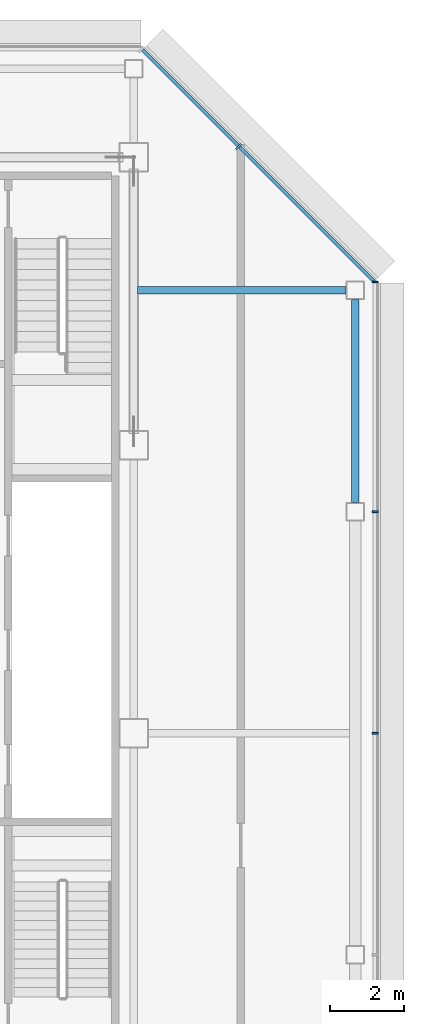
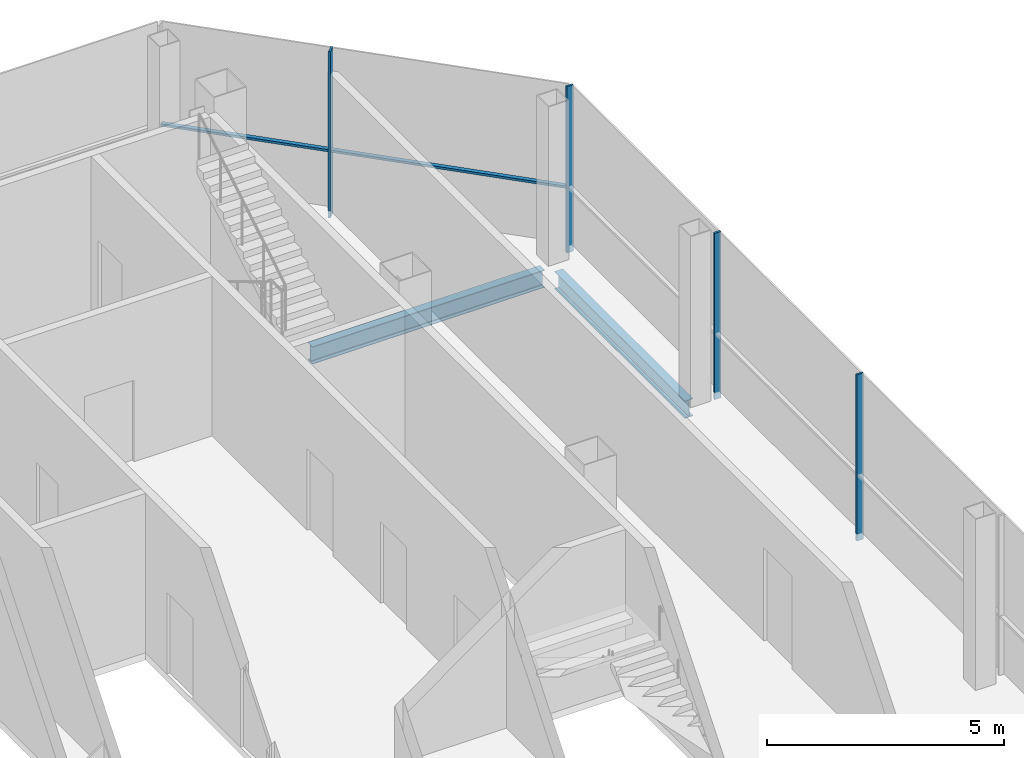
# One storey, part 19 of 29: 5 members, 2 beams, 2 elements without a shape of their own.
"""IFC4 building model written with IfcOpenShell, lengths in metres."""

from ifc_helpers import new_model, si_unit, direction, frame, origin, origin_2d, place, context, subcontext, project, spatial, rectangle, i_section, extrude, material, material_profile, profile_set, type_object, element, aggregate, save


model = new_model("IFC4")

# Units and contexts
model_context = context("Model", 3, precision=1e-05, world=origin(), true_north=direction((0.0, 1.0)))
body_context = subcontext(model_context, "Body", "Model", "MODEL_VIEW")
ifc_project = project(units=[si_unit("LENGTHUNIT", "METRE"), si_unit("AREAUNIT", "SQUARE_METRE"), si_unit("VOLUMEUNIT", "CUBIC_METRE"), si_unit("PLANEANGLEUNIT", "RADIAN"), si_unit("MASSUNIT", "GRAM", prefix="KILO")], contexts=[model_context])

# Site, building, storey
site_placement = place(None, origin())
site = spatial("IfcSite", under=ifc_project, at=site_placement, CompositionType="ELEMENT")
building_placement = place(site_placement, origin())
building = spatial("IfcBuilding", under=site, at=building_placement, Name="Sorahane Residences", CompositionType="ELEMENT")
storey_placement = place(building_placement, frame((0.0, 0.0, 326.800048828125)))
storey = spatial("IfcBuildingStorey", under=building, at=storey_placement, Name="L78", CompositionType="ELEMENT", Elevation=326.800048828125)

# Curtain wall, members
ifc_material_1 = material(Name="Dark low-e glass and black anodised aluminium", Category="aluminium")
curtain_wall_type_1 = type_object("IfcCurtainWallType", Name="Curtain wall CW-1 Typical unitised wall", PredefinedType="NOTDEFINED", material=ifc_material_1)
curtain_wall_1_placement = place(storey_placement, origin())
curtain_wall_1 = element("IfcCurtainWall", 1, at=curtain_wall_1_placement, inside=storey, type_object=curtain_wall_type_1, Name="CW-1 curtain wall L78 E1", PredefinedType="NOTDEFINED")
ifc_material_2 = material(Name="Black anodised aluminium", Category="aluminium")
ifc_material_profile_1 = material_profile(ifc_material_2, rectangle(XDim=0.159912109375, YDim=0.050048828125, at=origin_2d()), Name="Curtain wall mullion CW-1 black anodised aluminium 50x160")
ifc_profile_set_1 = profile_set([ifc_material_profile_1], Name="Black anodised aluminium")
member_type_1 = type_object("IfcMemberType", Name="Curtain wall mullion CW-1 black anodised aluminium 50x160", PredefinedType="MULLION", material=ifc_profile_set_1)
member_1_placement = place(storey_placement, frame((48.5400390625, 30.0, -0.179931640625), z_axis=(0.0, 0.0, 1.0), x_axis=(1.0, 0.0, 0.0)))
member_1 = element("IfcMember", 2, at=member_1_placement, type_object=member_type_1, Name="CW-1 mullion L78 E1.5", PredefinedType="MULLION", context=body_context, shape_type="SweptSolid", body=[
    extrude(rectangle(XDim=0.159912109375, YDim=0.050048828125, at=origin_2d()), origin(), (0.0, 0.0, 1.0), 4.27978515625),
])
member_2_placement = place(storey_placement, frame((48.5400390625, 36.0, -0.179931640625), z_axis=(0.0, 0.0, 1.0), x_axis=(1.0, 0.0, 0.0)))
member_2 = element("IfcMember", 3, at=member_2_placement, type_object=member_type_1, Name="CW-1 mullion L78 E1.6", PredefinedType="MULLION", context=body_context, shape_type="SweptSolid", body=[
    extrude(rectangle(XDim=0.159912109375, YDim=0.050048828125, at=origin_2d()), origin(), (0.0, 0.0, 1.0), 4.27978515625),
])
member_3_placement = place(storey_placement, frame((48.5400390625, 42.2236328125, -0.179931640625), z_axis=(0.0, 0.0, 1.0), x_axis=(1.0, 0.0, 0.0)))
member_3 = element("IfcMember", 4, at=member_3_placement, type_object=member_type_1, Name="CW-1 mullion L78 E1.7", PredefinedType="MULLION", context=body_context, shape_type="SweptSolid", body=[
    extrude(rectangle(XDim=0.159912109375, YDim=0.050048828125, at=origin_2d()), origin(), (0.0, 0.0, 1.0), 4.27978515625),
])
aggregate(curtain_wall_1, [member_1, member_2, member_3])

ifc_material_3 = material(Name="Dark low-e glass and black anodised aluminium", Category="aluminium")
curtain_wall_type_2 = type_object("IfcCurtainWallType", Name="Curtain wall CW-2 Chamfer unitised wall", PredefinedType="NOTDEFINED", material=ifc_material_3)
curtain_wall_2_placement = place(storey_placement, origin())
curtain_wall_2 = element("IfcCurtainWall", 5, at=curtain_wall_2_placement, inside=storey, type_object=curtain_wall_type_2, Name="CW-2 curtain wall L78 NE1", PredefinedType="NOTDEFINED")
ifc_material_4 = material(Name="Black anodised aluminium", Category="aluminium")
ifc_material_profile_2 = material_profile(ifc_material_4, rectangle(XDim=0.199951171875, YDim=0.050048828125, at=origin_2d()), Name="Curtain wall mullion CW-2 black anodised aluminium 50x200")
ifc_profile_set_2 = profile_set([ifc_material_profile_2], Name="Black anodised aluminium")
member_type_2 = type_object("IfcMemberType", Name="Curtain wall mullion CW-2 black anodised aluminium 50x200", PredefinedType="MULLION", material=ifc_profile_set_2)
member_4_placement = place(storey_placement, frame((44.84326171875, 45.89208984375, -0.179931640625), z_axis=(0.0, 0.0, 1.0), x_axis=(0.707106781187, 0.707106781187, 0.0)))
member_4 = element("IfcMember", 6, at=member_4_placement, type_object=member_type_2, Name="CW-2 mullion L78 NE1.2", PredefinedType="MULLION", context=body_context, shape_type="SweptSolid", body=[
    extrude(rectangle(XDim=0.199951171875, YDim=0.050048828125, at=origin_2d()), origin(), (0.0, 0.0, 1.0), 4.27978515625),
])
ifc_material_5 = material(Name="Black anodised aluminium", Category="aluminium")
ifc_material_profile_3 = material_profile(ifc_material_5, rectangle(XDim=0.10009765625, YDim=0.06005859375, at=origin_2d()), Name="Curtain wall transom CW-2 black anodised aluminium 60x100")
ifc_profile_set_3 = profile_set([ifc_material_profile_3], Name="Black anodised aluminium")
member_type_3 = type_object("IfcMemberType", Name="Curtain wall transom CW-2 black anodised aluminium 60x100", PredefinedType="USERDEFINED", material=ifc_profile_set_3)
member_5_placement = place(storey_placement, frame((48.51513671875, 42.234375, 1.5), z_axis=(-0.707106781187, 0.707106781187, 0.0), x_axis=(-0.707106781187, -0.707106781187, 0.0)))
member_5 = element("IfcMember", 7, at=member_5_placement, type_object=member_type_3, Name="CW-2 transom L78 NE1", ObjectType="TRANSOM", PredefinedType="USERDEFINED", context=body_context, shape_type="SweptSolid", body=[
    extrude(rectangle(XDim=0.10009765625, YDim=0.06005859375, at=origin_2d()), origin(), (0.0, 0.0, 1.0), 8.88232421875),
])
aggregate(curtain_wall_2, [member_4, member_5])

# Beams
ifc_material_6 = material(Name="Steel Q355B", Category="steel")
ifc_material_profile_4 = material_profile(ifc_material_6, i_section(OverallWidth=0.199951171875, OverallDepth=0.449951171875, WebThickness=0.009033203125, FlangeThickness=0.013916015625, FilletRadius=0.02001953125, at=origin_2d()), Name="HN 450x200x9x14")
ifc_profile_set_4 = profile_set([ifc_material_profile_4], Name="Steel Q355B")
beam_type = type_object("IfcBeamType", Name="Steel floor beam HN 450x200x9x14 Q355B", PredefinedType="BEAM", material=ifc_profile_set_4)
beam_1_placement = place(storey_placement, frame((48.0, 36.25, -0.405029296875), z_axis=(0.0, 1.0, 0.0), x_axis=(-1.0, 0.0, 0.0)))
element("IfcBeam", 8, at=beam_1_placement, inside=storey, type_object=beam_type, Name="Beam L78 065", PredefinedType="BEAM", context=body_context, shape_type="SweptSolid", body=[
    extrude(i_section(OverallWidth=0.199951171875, OverallDepth=0.449951171875, WebThickness=0.009033203125, FlangeThickness=0.013916015625, FilletRadius=0.02001953125, at=origin_2d()), origin(), (0.0, 0.0, 1.0), 5.5),
])
beam_2_placement = place(storey_placement, frame((42.10009765625, 42.0, -0.405029296875), z_axis=(1.0, 0.0, 0.0), x_axis=(0.0, 1.0, 0.0)))
element("IfcBeam", 9, at=beam_2_placement, inside=storey, type_object=beam_type, Name="Beam L78 090", PredefinedType="BEAM", context=body_context, shape_type="SweptSolid", body=[
    extrude(i_section(OverallWidth=0.199951171875, OverallDepth=0.449951171875, WebThickness=0.009033203125, FlangeThickness=0.013916015625, FilletRadius=0.02001953125, at=origin_2d()), origin(), (0.0, 0.0, 1.0), 5.64990234375),
])

save(model, "model.ifc")
